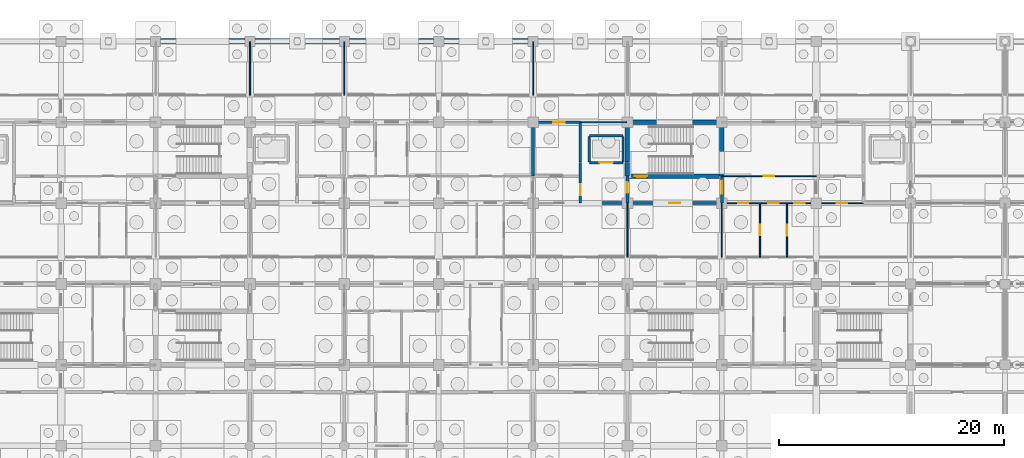
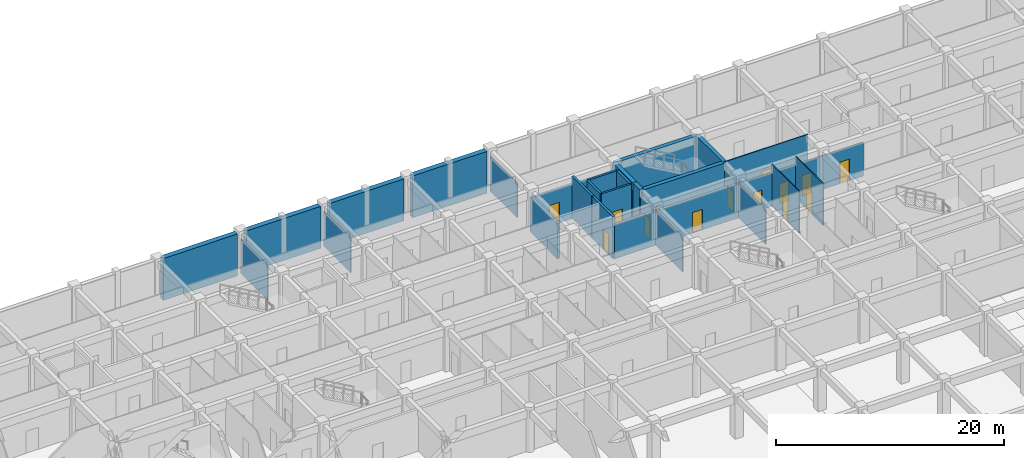
# One storey, part 74 of 85: 30 walls, 14 doors, 14 openings.
"""IFC4 building model written with IfcOpenShell, lengths in metres."""

import ifcopenshell
import ifcopenshell.guid

model = None  # the IFC model being written
_history = None  # IfcOwnerHistory: only IFC2X3 demands one
_inside = {}  # id of a spatial element -> (the spatial element, [elements in it])
_under = {}  # id of a project, library or spatial element -> (it, [spatial elements below it])
_declared = {}  # id of a project -> (the project, [libraries it declares])
_typed = {}  # id of a type object -> (the type object, [elements of that type])
_made_of = {}  # id of a material, layer set ... -> (it, [elements and type objects made of it])


def new_model(schema):
    """Start an empty IFC model of exactly this schema.

    Asked for "IFC4X3", IfcOpenShell would pick the latest addendum, in which some entities
    have other attributes; the version numbers below select the first issue.
    IFC2X3 requires an IfcOwnerHistory on every rooted entity: one is made here for all.
    """
    global model, _history
    if schema == "IFC4X3":
        model = ifcopenshell.file(schema_version=(4, 3, 0, 0))
    else:
        model = ifcopenshell.file(schema=schema)
    _inside.clear()
    _under.clear()
    _declared.clear()
    _typed.clear()
    _made_of.clear()
    _history = None
    if model.schema == "IFC2X3":
        org = make("IfcOrganization", Name="unknown")
        user = make(
            "IfcPersonAndOrganization",
            ThePerson=make("IfcPerson", FamilyName="unknown"),
            TheOrganization=org,
        )
        app = make(
            "IfcApplication",
            ApplicationDeveloper=org,
            Version="unknown",
            ApplicationFullName="unknown",
            ApplicationIdentifier="unknown",
        )
        _history = make(
            "IfcOwnerHistory",
            OwningUser=user,
            OwningApplication=app,
            ChangeAction="ADDED",
            CreationDate=0,
        )
    return model


def make(cls, **values):
    """One entity of the class cls with the attributes given. An attribute that is None is left unset."""
    return model.create_entity(
        cls, **{name: value for name, value in values.items() if value is not None}
    )


def rooted(cls, **values):
    """An entity with a GlobalId (a new one), such as an element, a storey or a relation."""
    return make(cls, GlobalId=ifcopenshell.guid.new(), OwnerHistory=_history, **values)


def si_unit(unit_type, name, prefix=None):
    """IfcSIUnit, for example si_unit("LENGTHUNIT", "METRE", prefix="MILLI")."""
    return make("IfcSIUnit", UnitType=unit_type, Prefix=prefix, Name=name)


def assignment(units):
    """IfcUnitAssignment: the units of a project."""
    return None if units is None else make("IfcUnitAssignment", Units=units)


def point(xyz):
    """IfcCartesianPoint."""
    return None if xyz is None else make("IfcCartesianPoint", Coordinates=xyz)


def direction(xyz):
    """IfcDirection."""
    return None if xyz is None else make("IfcDirection", DirectionRatios=xyz)


def frame(location, z_axis=None, x_axis=None):
    """IfcAxis2Placement3D, a coordinate frame: its origin and axes. An axis left out is left unset."""
    return make(
        "IfcAxis2Placement3D",
        Location=point(location),
        Axis=direction(z_axis),
        RefDirection=direction(x_axis),
    )


def frame_2d(location, x_axis=None):
    """IfcAxis2Placement2D, a coordinate frame in the plane: its origin and x axis."""
    return make(
        "IfcAxis2Placement2D", Location=point(location), RefDirection=direction(x_axis)
    )


def origin():
    """The frame at (0, 0, 0) with its axes left unset."""
    return frame((0.0, 0.0, 0.0))


def place(relative_to, where):
    """IfcLocalPlacement: puts the frame where relative to a parent placement (None: the world)."""
    return make(
        "IfcLocalPlacement", PlacementRelTo=relative_to, RelativePlacement=where
    )


def context(
    kind, dimensions, precision=None, world=None, true_north=None, identifier=None
):
    """IfcGeometricRepresentationContext, for example the 3D "Model" context."""
    return make(
        "IfcGeometricRepresentationContext",
        ContextIdentifier=identifier,
        ContextType=kind,
        CoordinateSpaceDimension=dimensions,
        Precision=precision,
        WorldCoordinateSystem=world,
        TrueNorth=true_north,
    )


def subcontext(parent, identifier, kind, view, scale=None):
    """IfcGeometricRepresentationSubContext, for example "Body" below "Model"."""
    return make(
        "IfcGeometricRepresentationSubContext",
        ContextIdentifier=identifier,
        ContextType=kind,
        ParentContext=parent,
        TargetScale=scale,
        TargetView=view,
    )


def project(units=None, contexts=None):
    """IfcProject with its units and contexts."""
    return rooted(
        "IfcProject",
        Name="project",
        RepresentationContexts=contexts,
        UnitsInContext=assignment(units),
    )


def spatial(cls, under=None, at=None, **own):
    """A site, building, storey or space (cls), placed at a placement, below another one or the project."""
    s = rooted(cls, ObjectPlacement=at, **own)
    if under is not None:
        _under.setdefault(under.id(), (under, []))[1].append(s)
    return s


def profile(cls, at=None, kind="AREA", **sizes):
    """A parametric profile (cls). Its sizes go by their IFC names, for example OverallWidth=200.0."""
    return make(cls, ProfileType=kind, Position=at, **sizes)


def rectangle(**sizes):
    """IfcRectangleProfileDef."""
    return profile("IfcRectangleProfileDef", **sizes)


def extrude(swept, where, along, depth):
    """IfcExtrudedAreaSolid: the profile swept, set in the frame where, extruded along a direction by depth."""
    return make(
        "IfcExtrudedAreaSolid",
        SweptArea=swept,
        Position=where,
        ExtrudedDirection=direction(along),
        Depth=depth,
    )


def shape(context_of_items, identifier, shape_type, items):
    """IfcShapeRepresentation: the items that make up one representation, for example the "Body"."""
    return make(
        "IfcShapeRepresentation",
        ContextOfItems=context_of_items,
        RepresentationIdentifier=identifier,
        RepresentationType=shape_type,
        Items=items,
    )


def material(Name=None, Category=None):
    """IfcMaterial."""
    return make("IfcMaterial", Name=Name, Category=Category)


def layer(
    of_material, thickness, ventilated=None, Name=None, Category=None, Priority=None
):
    """IfcMaterialLayer: one layer of a wall or slab, of a material (None: an air gap)."""
    return make(
        "IfcMaterialLayer",
        Material=of_material,
        LayerThickness=thickness,
        IsVentilated=ventilated,
        Name=Name,
        Category=Category,
        Priority=Priority,
    )


def layer_set(layers, Name=None):
    """IfcMaterialLayerSet."""
    return make("IfcMaterialLayerSet", MaterialLayers=layers, LayerSetName=Name)


def made_of(thing, what):
    """Note that an element or type object is made of a material, layer set ...; save() writes the relation."""
    if what is not None:
        _made_of.setdefault(what.id(), (what, []))[1].append(thing)
    return thing


def type_object(cls, material=None, **own):
    """A type object (cls), such as IfcWallType, which elements share."""
    return made_of(rooted(cls, **own), material)


def element(
    cls,
    number,
    at=None,
    inside=None,
    cuts=None,
    type_object=None,
    material=None,
    context=None,
    identifier="Body",
    shape_type=None,
    held_by="IfcProductDefinitionShape",
    body=None,
    shapes=None,
    **own,
):
    """One element of the class cls, such as IfcWall. Its Tag is "e" and its number.

    at: its placement. inside: the storey or other place that contains it. cuts: it is an
    opening in that element (IfcRelVoidsElement). A single representation is given by context,
    identifier, shape_type and body (its items); several are given by shapes. held_by: the class
    of the entity that holds the representations. save() writes the other relations.
    """
    e = rooted(cls, Tag="e%d" % number, ObjectPlacement=at, **own)
    if body is not None:
        shapes = [shape(context, identifier, shape_type, body)]
    if shapes is not None:
        e.Representation = make(held_by, Representations=shapes)
    if inside is not None:
        _inside.setdefault(inside.id(), (inside, []))[1].append(e)
    if cuts is not None:
        rooted(
            "IfcRelVoidsElement", RelatingBuildingElement=cuts, RelatedOpeningElement=e
        )
    if type_object is not None:
        _typed.setdefault(type_object.id(), (type_object, []))[1].append(e)
    return made_of(e, material)


def fill(opening, filler):
    """IfcRelFillsElement: the door or window that sits in an opening."""
    return rooted(
        "IfcRelFillsElement",
        RelatingOpeningElement=opening,
        RelatedBuildingElement=filler,
    )


def aggregate(whole, parts):
    """IfcRelAggregates: a whole, such as a stair, and the parts it consists of."""
    return rooted("IfcRelAggregates", RelatingObject=whole, RelatedObjects=parts)


def save(model, path):
    """Write the relations noted so far, then the file.

    IfcRelAggregates (storeys below a building ...), IfcRelContainedInSpatialStructure (elements
    in a storey), IfcRelDefinesByType, IfcRelAssociatesMaterial and IfcRelDeclares: one each for
    every whole, place, type object, material and project.
    """
    for whole, parts in _under.values():
        aggregate(whole, parts)
    for where, things in _inside.values():
        rooted(
            "IfcRelContainedInSpatialStructure",
            RelatedElements=things,
            RelatingStructure=where,
        )
    for kind, things in _typed.values():
        rooted("IfcRelDefinesByType", RelatedObjects=things, RelatingType=kind)
    for what, things in _made_of.values():
        rooted("IfcRelAssociatesMaterial", RelatedObjects=things, RelatingMaterial=what)
    for by, libraries in _declared.values():
        rooted("IfcRelDeclares", RelatingContext=by, RelatedDefinitions=libraries)
    model.write(path)


model = new_model("IFC4")

# Units and contexts
model_context = context("Model", 3, precision=1e-05, world=origin(), true_north=direction((0.0, 1.0)))
body_context = subcontext(model_context, "Body", "Model", "MODEL_VIEW")
ifc_project = project(units=[si_unit("LENGTHUNIT", "METRE"), si_unit("AREAUNIT", "SQUARE_METRE"), si_unit("VOLUMEUNIT", "CUBIC_METRE"), si_unit("PLANEANGLEUNIT", "RADIAN"), si_unit("MASSUNIT", "GRAM", prefix="KILO")], contexts=[model_context])

# Site, building, storey
site_placement = place(None, origin())
site = spatial("IfcSite", under=ifc_project, at=site_placement, CompositionType="ELEMENT")
building_placement = place(site_placement, origin())
building = spatial("IfcBuilding", under=site, at=building_placement, Name="Chengyuan Square Courthouse", CompositionType="ELEMENT")
storey_placement = place(building_placement, frame((0.0, 0.0, -10.199951171875)))
storey = spatial("IfcBuildingStorey", under=building, at=storey_placement, Name="B02", CompositionType="ELEMENT", Elevation=-10.199951171875)

# Wall, opening, door
ifc_material_1 = material(Name="Concrete C40", Category="concrete")
ifc_layer_1 = layer(ifc_material_1, 0.25)
ifc_layer_set_1 = layer_set([ifc_layer_1], Name="Concrete C40")
wall_type_1 = type_object("IfcWallType", Name="WL-FW1", PredefinedType="STANDARD", material=ifc_layer_set_1)
wall_1_placement = place(storey_placement, frame((96.60009765625, 100.800048828125, 0.0), z_axis=(0.0, 0.0, 1.0), x_axis=(1.0, 0.0, 0.0)))
wall_1 = element("IfcWall", 1, at=wall_1_placement, inside=storey, type_object=wall_type_1, Name="Interior Wall WL-B02-I069", PredefinedType="STANDARD", context=body_context, shape_type="SweptSolid", body=[
    extrude(rectangle(XDim=12.599853515625, YDim=0.25, at=frame_2d((6.2998046875, 0.0))), origin(), (0.0, 0.0, 1.0), 3.6298828125),
])
opening_1_placement = place(wall_1_placement, frame((7.89990234375, 0.0, 0.0)))
opening_1 = element("IfcOpeningElement", 2, at=opening_1_placement, cuts=wall_1, Name="Opening DR-026", PredefinedType="OPENING", context=body_context, shape_type="SweptSolid", body=[
    extrude(rectangle(XDim=1.0, YDim=2.199951171875, at=frame_2d((0.5, 1.10009765625))), frame((0.0, 0.136962890625, 0.0), z_axis=(0.0, -1.0, 0.0), x_axis=(1.0, 0.0, 0.0)), (0.0, 0.0, 1.0), 0.27392578125),
])
ifc_material_2 = material(Name="Steel Q235B Fire Door", Category="steel")
door_type_1 = type_object("IfcDoorType", Name="DT-11", OperationType="NOTDEFINED", PredefinedType="DOOR", material=ifc_material_2)
door_1_placement = place(opening_1_placement, origin())
door_1 = element("IfcDoor", 3, at=door_1_placement, inside=storey, type_object=door_type_1, Name="Interior Door DR-026", OperationType="SINGLE_SWING_RIGHT", OverallHeight=2.199951171875, OverallWidth=1.0, PredefinedType="DOOR", context=body_context, shape_type="SweptSolid", body=[
    extrude(rectangle(XDim=1.0, YDim=2.199951171875, at=frame_2d((0.5, 1.10009765625))), frame((0.0, 0.02490234375, 0.0), z_axis=(0.0, -1.0, 0.0), x_axis=(1.0, 0.0, 0.0)), (0.0, 0.0, 1.0), 0.050048828125),
])
fill(opening_1, door_1)

wall_2_placement = place(storey_placement, frame((92.39990234375, 108.0, 0.0), z_axis=(0.0, 0.0, 1.0), x_axis=(1.0, 0.0, 0.0)))
wall_2 = element("IfcWall", 4, at=wall_2_placement, inside=storey, type_object=wall_type_1, Name="Interior Wall WL-B02-I102", PredefinedType="STANDARD", context=body_context, shape_type="SweptSolid", body=[
    extrude(rectangle(XDim=4.2001953125, YDim=0.25, at=frame_2d((2.10009765625, 0.0))), origin(), (0.0, 0.0, 1.0), 3.6298828125),
])
opening_2_placement = place(wall_2_placement, frame((1.797607421875, 0.0, 0.0)))
opening_2 = element("IfcOpeningElement", 5, at=opening_2_placement, cuts=wall_2, Name="Opening DR-071", PredefinedType="OPENING", context=body_context, shape_type="SweptSolid", body=[
    extrude(rectangle(XDim=1.0, YDim=2.199951171875, at=frame_2d((0.5, 1.10009765625))), frame((0.0, 0.136962890625, 0.0), z_axis=(0.0, -1.0, 0.0), x_axis=(1.0, 0.0, 0.0)), (0.0, 0.0, 1.0), 0.27392578125),
])
door_2_placement = place(opening_2_placement, origin())
door_2 = element("IfcDoor", 6, at=door_2_placement, inside=storey, type_object=door_type_1, Name="Interior Door DR-071", OperationType="SINGLE_SWING_LEFT", OverallHeight=2.199951171875, OverallWidth=1.0, PredefinedType="DOOR", context=body_context, shape_type="SweptSolid", body=[
    extrude(rectangle(XDim=1.0, YDim=2.199951171875, at=frame_2d((0.5, 1.10009765625))), frame((0.0, 0.02490234375, 0.0), z_axis=(0.0, -1.0, 0.0), x_axis=(1.0, 0.0, 0.0)), (0.0, 0.0, 1.0), 0.050048828125),
])
fill(opening_2, door_2)

# Wall
wall_3_placement = place(storey_placement, frame((92.39990234375, 103.199951171875, 0.0), z_axis=(0.0, 0.0, 1.0), x_axis=(0.0, 1.0, 0.0)))
element("IfcWall", 7, at=wall_3_placement, inside=storey, type_object=wall_type_1, Name="Interior Wall WL-B02-I207", PredefinedType="STANDARD", context=body_context, shape_type="SweptSolid", body=[
    extrude(rectangle(XDim=4.800048828125, YDim=0.25, at=frame_2d((2.39990234375, 0.0))), origin(), (0.0, 0.0, 1.0), 3.72998046875),
])

# Wall, opening, door
wall_4_placement = place(storey_placement, frame((96.60009765625, 100.800048828125, 0.0), z_axis=(0.0, 0.0, 1.0), x_axis=(0.0, 1.0, 0.0)))
wall_4 = element("IfcWall", 8, at=wall_4_placement, inside=storey, type_object=wall_type_1, Name="Interior Wall WL-B02-I209", PredefinedType="STANDARD", context=body_context, shape_type="SweptSolid", body=[
    extrude(rectangle(XDim=3.599853515625, YDim=0.25, at=frame_2d((1.7998046875, 0.0))), origin(), (0.0, 0.0, 1.0), 4.47998046875),
])
opening_3_placement = place(wall_4_placement, frame((0.699951171875, 0.0, 0.0)))
opening_3 = element("IfcOpeningElement", 9, at=opening_3_placement, cuts=wall_4, Name="Opening DR-068", PredefinedType="OPENING", context=body_context, shape_type="SweptSolid", body=[
    extrude(rectangle(XDim=1.0, YDim=2.199951171875, at=frame_2d((0.5, 1.10009765625))), frame((0.0, 0.136962890625, 0.0), z_axis=(0.0, -1.0, 0.0), x_axis=(1.0, 0.0, 0.0)), (0.0, 0.0, 1.0), 0.27392578125),
])
door_3_placement = place(opening_3_placement, origin())
door_3 = element("IfcDoor", 10, at=door_3_placement, inside=storey, type_object=door_type_1, Name="Interior Door DR-068", OperationType="SINGLE_SWING_RIGHT", OverallHeight=2.199951171875, OverallWidth=1.0, PredefinedType="DOOR", context=body_context, shape_type="SweptSolid", body=[
    extrude(rectangle(XDim=1.0, YDim=2.199951171875, at=frame_2d((0.5, 1.10009765625))), frame((0.0, 0.02490234375, 0.0), z_axis=(0.0, -1.0, 0.0), x_axis=(1.0, 0.0, 0.0)), (0.0, 0.0, 1.0), 0.050048828125),
])
fill(opening_3, door_3)

# Wall
wall_5_placement = place(storey_placement, frame((96.60009765625, 104.449951171875, 0.0), z_axis=(0.0, 0.0, 1.0), x_axis=(0.0, 1.0, 0.0)))
element("IfcWall", 11, at=wall_5_placement, inside=storey, type_object=wall_type_1, Name="Interior Wall WL-B02-I210", PredefinedType="STANDARD", context=body_context, shape_type="SweptSolid", body=[
    extrude(rectangle(XDim=3.5, YDim=0.25, at=frame_2d((1.75, 0.0))), origin(), (0.0, 0.0, 1.0), 4.47998046875),
])

# Wall, opening, door
wall_6_placement = place(storey_placement, frame((100.800048828125, 100.800048828125, 0.0), z_axis=(0.0, 0.0, 1.0), x_axis=(0.0, 1.0, 0.0)))
wall_6 = element("IfcWall", 12, at=wall_6_placement, inside=storey, type_object=wall_type_1, Name="Interior Wall WL-B02-I217", PredefinedType="STANDARD", context=body_context, shape_type="SweptSolid", body=[
    extrude(rectangle(XDim=2.39990234375, YDim=0.25, at=frame_2d((1.199951171875, 0.0))), origin(), (0.0, 0.0, 1.0), 3.72998046875),
])
opening_4_placement = place(wall_6_placement, frame((0.922607421875, 0.0, 0.0)))
opening_4 = element("IfcOpeningElement", 13, at=opening_4_placement, cuts=wall_6, Name="Opening DR-024", PredefinedType="OPENING", context=body_context, shape_type="SweptSolid", body=[
    extrude(rectangle(XDim=0.949951171875, YDim=2.14990234375, at=frame_2d((0.47509765625, 1.074951171875))), frame((0.0, 0.136962890625, 0.0), z_axis=(0.0, -1.0, 0.0), x_axis=(1.0, 0.0, 0.0)), (0.0, 0.0, 1.0), 0.27392578125),
])
door_type_2 = type_object("IfcDoorType", Name="DT-12", OperationType="NOTDEFINED", PredefinedType="DOOR", material=ifc_material_2)
door_4_placement = place(opening_4_placement, origin())
door_4 = element("IfcDoor", 14, at=door_4_placement, inside=storey, type_object=door_type_2, Name="Interior Door DR-024", OperationType="SINGLE_SWING_RIGHT", OverallHeight=2.14990234375, OverallWidth=0.949951171875, PredefinedType="DOOR", context=body_context, shape_type="SweptSolid", body=[
    extrude(rectangle(XDim=0.949951171875, YDim=2.14990234375, at=frame_2d((0.47509765625, 1.074951171875))), frame((0.0, 0.02490234375, 0.0), z_axis=(0.0, -1.0, 0.0), x_axis=(1.0, 0.0, 0.0)), (0.0, 0.0, 1.0), 0.050048828125),
])
fill(opening_4, door_4)

wall_7_placement = place(storey_placement, frame((109.199951171875, 100.800048828125, 0.0), z_axis=(0.0, 0.0, 1.0), x_axis=(0.0, 1.0, 0.0)))
wall_7 = element("IfcWall", 15, at=wall_7_placement, inside=storey, type_object=wall_type_1, Name="Interior Wall WL-B02-I225", PredefinedType="STANDARD", context=body_context, shape_type="SweptSolid", body=[
    extrude(rectangle(XDim=2.39990234375, YDim=0.25, at=frame_2d((1.199951171875, 0.0))), origin(), (0.0, 0.0, 1.0), 3.72998046875),
])
opening_5_placement = place(wall_7_placement, frame((0.847412109375, 0.0, 0.0)))
opening_5 = element("IfcOpeningElement", 16, at=opening_5_placement, cuts=wall_7, Name="Opening DR-025", PredefinedType="OPENING", context=body_context, shape_type="SweptSolid", body=[
    extrude(rectangle(XDim=1.10009765625, YDim=2.199951171875, at=frame_2d((0.550048828125, 1.10009765625))), frame((0.0, 0.136962890625, 0.0), z_axis=(0.0, -1.0, 0.0), x_axis=(1.0, 0.0, 0.0)), (0.0, 0.0, 1.0), 0.27392578125),
])
door_type_3 = type_object("IfcDoorType", Name="DT-10", OperationType="NOTDEFINED", PredefinedType="DOOR", material=ifc_material_2)
door_5_placement = place(opening_5_placement, origin())
door_5 = element("IfcDoor", 17, at=door_5_placement, inside=storey, type_object=door_type_3, Name="Interior Door DR-025", OperationType="SINGLE_SWING_LEFT", OverallHeight=2.199951171875, OverallWidth=1.10009765625, PredefinedType="DOOR", context=body_context, shape_type="SweptSolid", body=[
    extrude(rectangle(XDim=1.10009765625, YDim=2.199951171875, at=frame_2d((0.550048828125, 1.10009765625))), frame((0.0, 0.02490234375, 0.0), z_axis=(0.0, -1.0, 0.0), x_axis=(1.0, 0.0, 0.0)), (0.0, 0.0, 1.0), 0.050048828125),
])
fill(opening_5, door_5)

# Wall, openings, doors
ifc_material_3 = material(Name="Gypsum Plasterboard Acoustic Stud Partition")
ifc_layer_2 = layer(ifc_material_3, 0.10009765625)
ifc_layer_set_2 = layer_set([ifc_layer_2], Name="Gypsum Plasterboard Acoustic Stud Partition")
wall_type_2 = type_object("IfcWallType", Name="WL-PT6", PredefinedType="STANDARD", material=ifc_layer_set_2)
wall_8_placement = place(storey_placement, frame((109.199951171875, 100.800048828125, 0.0), z_axis=(0.0, 0.0, 1.0), x_axis=(1.0, 0.0, 0.0)))
wall_8 = element("IfcWall", 18, at=wall_8_placement, inside=storey, type_object=wall_type_2, Name="Interior Wall WL-B02-I070", PredefinedType="STANDARD", context=body_context, shape_type="SweptSolid", body=[
    extrude(rectangle(XDim=12.60009765625, YDim=0.10009765625, at=frame_2d((6.300048828125, 0.0))), origin(), (0.0, 0.0, 1.0), 3.6298828125),
])
opening_6_placement = place(wall_8_placement, frame((10.2275390625, 0.0, 0.0)))
opening_6 = element("IfcOpeningElement", 19, at=opening_6_placement, cuts=wall_8, Name="Opening DR-081", PredefinedType="OPENING", context=body_context, shape_type="SweptSolid", body=[
    extrude(rectangle(XDim=0.93994140625, YDim=2.300048828125, at=frame_2d((0.469970703125, 1.14990234375))), frame((0.0, 0.06201171875, 0.0), z_axis=(0.0, -1.0, 0.0), x_axis=(1.0, 0.0, 0.0)), (0.0, 0.0, 1.0), 0.1240234375),
])
opening_7_placement = place(wall_8_placement, frame((1.467529296875, 0.0, 0.0)))
opening_7 = element("IfcOpeningElement", 20, at=opening_7_placement, cuts=wall_8, Name="Opening DR-121", PredefinedType="OPENING", context=body_context, shape_type="SweptSolid", body=[
    extrude(rectangle(XDim=0.860107421875, YDim=2.10009765625, at=frame_2d((0.43017578125, 1.050048828125))), frame((0.0, 0.06201171875, 0.0), z_axis=(0.0, -1.0, 0.0), x_axis=(1.0, 0.0, 0.0)), (0.0, 0.0, 1.0), 0.1240234375),
])
opening_8_placement = place(wall_8_placement, frame((4.139892578125, 0.0, 0.0)))
opening_8 = element("IfcOpeningElement", 21, at=opening_8_placement, cuts=wall_8, Name="Opening DR-122", PredefinedType="OPENING", context=body_context, shape_type="SweptSolid", body=[
    extrude(rectangle(XDim=0.919921875, YDim=2.14990234375, at=frame_2d((0.4599609375, 1.074951171875))), frame((0.0, 0.06201171875, 0.0), z_axis=(0.0, -1.0, 0.0), x_axis=(1.0, 0.0, 0.0)), (0.0, 0.0, 1.0), 0.1240234375),
])
opening_9_placement = place(wall_8_placement, frame((6.422607421875, 0.0, 0.0)))
opening_9 = element("IfcOpeningElement", 22, at=opening_9_placement, cuts=wall_8, Name="Opening DR-123", PredefinedType="OPENING", context=body_context, shape_type="SweptSolid", body=[
    extrude(rectangle(XDim=0.9599609375, YDim=2.199951171875, at=frame_2d((0.47998046875, 1.10009765625))), frame((0.0, 0.06201171875, 0.0), z_axis=(0.0, -1.0, 0.0), x_axis=(1.0, 0.0, 0.0)), (0.0, 0.0, 1.0), 0.1240234375),
])
ifc_material_4 = material(Name="Acoustic Solid-Core Timber Door", Category="wood")
door_type_4 = type_object("IfcDoorType", Name="DT-28", OperationType="NOTDEFINED", PredefinedType="DOOR", material=ifc_material_4)
door_6_placement = place(opening_7_placement, origin())
door_6 = element("IfcDoor", 23, at=door_6_placement, inside=storey, type_object=door_type_4, Name="Interior Door DR-121", OperationType="SINGLE_SWING_LEFT", OverallHeight=2.10009765625, OverallWidth=0.860107421875, PredefinedType="DOOR", context=body_context, shape_type="SweptSolid", body=[
    extrude(rectangle(XDim=0.860107421875, YDim=2.10009765625, at=frame_2d((0.43017578125, 1.050048828125))), frame((0.0, 0.02490234375, 0.0), z_axis=(0.0, -1.0, 0.0), x_axis=(1.0, 0.0, 0.0)), (0.0, 0.0, 1.0), 0.050048828125),
])
fill(opening_7, door_6)
door_type_5 = type_object("IfcDoorType", Name="DT-29", OperationType="NOTDEFINED", PredefinedType="DOOR", material=ifc_material_4)
door_7_placement = place(opening_8_placement, origin())
door_7 = element("IfcDoor", 24, at=door_7_placement, inside=storey, type_object=door_type_5, Name="Interior Door DR-122", OperationType="SINGLE_SWING_RIGHT", OverallHeight=2.14990234375, OverallWidth=0.919921875, PredefinedType="DOOR", context=body_context, shape_type="SweptSolid", body=[
    extrude(rectangle(XDim=0.919921875, YDim=2.14990234375, at=frame_2d((0.4599609375, 1.074951171875))), frame((0.0, 0.02490234375, 0.0), z_axis=(0.0, -1.0, 0.0), x_axis=(1.0, 0.0, 0.0)), (0.0, 0.0, 1.0), 0.050048828125),
])
fill(opening_8, door_7)
door_type_6 = type_object("IfcDoorType", Name="DT-30", OperationType="NOTDEFINED", PredefinedType="DOOR", material=ifc_material_4)
door_8_placement = place(opening_9_placement, origin())
door_8 = element("IfcDoor", 25, at=door_8_placement, inside=storey, type_object=door_type_6, Name="Interior Door DR-123", OperationType="SINGLE_SWING_LEFT", OverallHeight=2.199951171875, OverallWidth=0.9599609375, PredefinedType="DOOR", context=body_context, shape_type="SweptSolid", body=[
    extrude(rectangle(XDim=0.9599609375, YDim=2.199951171875, at=frame_2d((0.47998046875, 1.10009765625))), frame((0.0, 0.02490234375, 0.0), z_axis=(0.0, -1.0, 0.0), x_axis=(1.0, 0.0, 0.0)), (0.0, 0.0, 1.0), 0.050048828125),
])
fill(opening_9, door_8)
door_type_7 = type_object("IfcDoorType", Name="DT-39", OperationType="NOTDEFINED", PredefinedType="DOOR", material=ifc_material_4)
door_9_placement = place(opening_6_placement, origin())
door_9 = element("IfcDoor", 26, at=door_9_placement, inside=storey, type_object=door_type_7, Name="Interior Door DR-081", OperationType="SINGLE_SWING_LEFT", OverallHeight=2.300048828125, OverallWidth=0.93994140625, PredefinedType="DOOR", context=body_context, shape_type="SweptSolid", body=[
    extrude(rectangle(XDim=0.93994140625, YDim=2.300048828125, at=frame_2d((0.469970703125, 1.14990234375))), frame((0.0, 0.02490234375, 0.0), z_axis=(0.0, -1.0, 0.0), x_axis=(1.0, 0.0, 0.0)), (0.0, 0.0, 1.0), 0.050048828125),
])
fill(opening_6, door_9)

# Wall, opening, door
wall_9_placement = place(storey_placement, frame((109.199951171875, 103.199951171875, 0.0), z_axis=(0.0, 0.0, 1.0), x_axis=(1.0, 0.0, 0.0)))
wall_9 = element("IfcWall", 27, at=wall_9_placement, inside=storey, type_object=wall_type_2, Name="Interior Wall WL-B02-I082", PredefinedType="STANDARD", context=body_context, shape_type="SweptSolid", body=[
    extrude(rectangle(XDim=8.400146484375, YDim=0.10009765625, at=frame_2d((4.2001953125, 0.0))), origin(), (0.0, 0.0, 1.0), 4.47998046875),
])
opening_10_placement = place(wall_9_placement, frame((3.75, 0.0, 0.0)))
opening_10 = element("IfcOpeningElement", 28, at=opening_10_placement, cuts=wall_9, Name="Opening DR-120", PredefinedType="OPENING", context=body_context, shape_type="SweptSolid", body=[
    extrude(rectangle(XDim=0.89990234375, YDim=2.14990234375, at=frame_2d((0.449951171875, 1.074951171875))), frame((0.0, 0.06201171875, 0.0), z_axis=(0.0, -1.0, 0.0), x_axis=(1.0, 0.0, 0.0)), (0.0, 0.0, 1.0), 0.1240234375),
])
door_type_8 = type_object("IfcDoorType", Name="DT-27", OperationType="NOTDEFINED", PredefinedType="DOOR", material=ifc_material_4)
door_10_placement = place(opening_10_placement, origin())
door_10 = element("IfcDoor", 29, at=door_10_placement, inside=storey, type_object=door_type_8, Name="Interior Door DR-120", OperationType="SINGLE_SWING_RIGHT", OverallHeight=2.14990234375, OverallWidth=0.89990234375, PredefinedType="DOOR", context=body_context, shape_type="SweptSolid", body=[
    extrude(rectangle(XDim=0.89990234375, YDim=2.14990234375, at=frame_2d((0.449951171875, 1.074951171875))), frame((0.0, 0.02490234375, 0.0), z_axis=(0.0, -1.0, 0.0), x_axis=(1.0, 0.0, 0.0)), (0.0, 0.0, 1.0), 0.050048828125),
])
fill(opening_10, door_10)

# Walls
wall_10_placement = place(storey_placement, frame((96.64990234375, 108.0, 0.0), z_axis=(0.0, 0.0, 1.0), x_axis=(1.0, 0.0, 0.0)))
element("IfcWall", 30, at=wall_10_placement, inside=storey, type_object=wall_type_2, Name="Interior Wall WL-B02-I103", PredefinedType="STANDARD", context=body_context, shape_type="SweptSolid", body=[
    extrude(rectangle(XDim=4.10009765625, YDim=0.10009765625, at=frame_2d((2.050048828125, 0.0))), origin(), (0.0, 0.0, 1.0), 3.6298828125),
])
for number, where, z_axis, x_axis, name in (
    (31, (67.199951171875, 110.39990234375, 0.0), (0.0, 0.0, 1.0), (0.0, 1.0, 0.0), "Interior Wall WL-B02-I178"),
    (32, (75.60009765625, 110.39990234375, 0.0), (0.0, 0.0, 1.0), (0.0, 1.0, 0.0), "Interior Wall WL-B02-I188"),
    (33, (92.39990234375, 110.39990234375, 0.0), (0.0, 0.0, 1.0), (0.0, 1.0, 0.0), "Interior Wall WL-B02-I208"),
):
    element("IfcWall", number, at=place(storey_placement, frame(where, z_axis=z_axis, x_axis=x_axis)), inside=storey, type_object=wall_type_2, Name=name, PredefinedType="STANDARD", context=body_context, shape_type="SweptSolid", body=[
        extrude(rectangle(XDim=4.760009765625, YDim=0.10009765625, at=frame_2d((2.3798828125, 0.0))), origin(), (0.0, 0.0, 1.0), 3.72998046875),
    ])
for number, where, z_axis, x_axis, name in (
    (34, (100.800048828125, 96.0, 0.0), (0.0, 0.0, 1.0), (0.0, 1.0, 0.0), "Interior Wall WL-B02-I216"),
    (35, (109.199951171875, 96.0, 0.0), (0.0, 0.0, 1.0), (0.0, 1.0, 0.0), "Interior Wall WL-B02-I224"),
):
    element("IfcWall", number, at=place(storey_placement, frame(where, z_axis=z_axis, x_axis=x_axis)), inside=storey, type_object=wall_type_2, Name=name, PredefinedType="STANDARD", context=body_context, shape_type="SweptSolid", body=[
        extrude(rectangle(XDim=4.800048828125, YDim=0.10009765625, at=frame_2d((2.39990234375, 0.0))), origin(), (0.0, 0.0, 1.0), 3.72998046875),
    ])

# Wall, opening, door
wall_11_placement = place(storey_placement, frame((112.60009765625, 96.0, 0.0), z_axis=(0.0, 0.0, 1.0), x_axis=(0.0, 1.0, 0.0)))
wall_11 = element("IfcWall", 36, at=wall_11_placement, inside=storey, type_object=wall_type_2, Name="Interior Wall WL-B02-I229", PredefinedType="STANDARD", context=body_context, shape_type="SweptSolid", body=[
    extrude(rectangle(XDim=4.800048828125, YDim=0.10009765625, at=frame_2d((2.39990234375, 0.0))), origin(), (0.0, 0.0, 1.0), 4.47998046875),
])
opening_11_placement = place(wall_11_placement, frame((1.929931640625, 0.0, 0.0)))
opening_11 = element("IfcOpeningElement", 37, at=opening_11_placement, cuts=wall_11, Name="Opening DR-217", PredefinedType="OPENING", context=body_context, shape_type="SweptSolid", body=[
    extrude(rectangle(XDim=0.93994140625, YDim=2.300048828125, at=frame_2d((0.469970703125, 1.14990234375))), frame((0.0, 0.06201171875, 0.0), z_axis=(0.0, -1.0, 0.0), x_axis=(1.0, 0.0, 0.0)), (0.0, 0.0, 1.0), 0.1240234375),
])
door_11_placement = place(opening_11_placement, origin())
door_11 = element("IfcDoor", 38, at=door_11_placement, inside=storey, type_object=door_type_7, Name="Interior Door DR-217", OperationType="SINGLE_SWING_LEFT", OverallHeight=2.300048828125, OverallWidth=0.93994140625, PredefinedType="DOOR", context=body_context, shape_type="SweptSolid", body=[
    extrude(rectangle(XDim=0.93994140625, YDim=2.300048828125, at=frame_2d((0.469970703125, 1.14990234375))), frame((0.0, 0.02490234375, 0.0), z_axis=(0.0, -1.0, 0.0), x_axis=(1.0, 0.0, 0.0)), (0.0, 0.0, 1.0), 0.050048828125),
])
fill(opening_11, door_11)

wall_12_placement = place(storey_placement, frame((115.0, 96.0, 0.0), z_axis=(0.0, 0.0, 1.0), x_axis=(0.0, 1.0, 0.0)))
wall_12 = element("IfcWall", 39, at=wall_12_placement, inside=storey, type_object=wall_type_2, Name="Interior Wall WL-B02-I231", PredefinedType="STANDARD", context=body_context, shape_type="SweptSolid", body=[
    extrude(rectangle(XDim=4.800048828125, YDim=0.10009765625, at=frame_2d((2.39990234375, 0.0))), origin(), (0.0, 0.0, 1.0), 4.47998046875),
])
opening_12_placement = place(wall_12_placement, frame((1.909912109375, 0.0, 0.0)))
opening_12 = element("IfcOpeningElement", 40, at=opening_12_placement, cuts=wall_12, Name="Opening DR-218", PredefinedType="OPENING", context=body_context, shape_type="SweptSolid", body=[
    extrude(rectangle(XDim=0.97998046875, YDim=2.35009765625, at=frame_2d((0.489990234375, 1.175048828125))), frame((0.0, 0.06201171875, 0.0), z_axis=(0.0, -1.0, 0.0), x_axis=(1.0, 0.0, 0.0)), (0.0, 0.0, 1.0), 0.1240234375),
])
door_type_9 = type_object("IfcDoorType", Name="DT-40", OperationType="NOTDEFINED", PredefinedType="DOOR", material=ifc_material_4)
door_12_placement = place(opening_12_placement, origin())
door_12 = element("IfcDoor", 41, at=door_12_placement, inside=storey, type_object=door_type_9, Name="Interior Door DR-218", OperationType="SINGLE_SWING_RIGHT", OverallHeight=2.35009765625, OverallWidth=0.97998046875, PredefinedType="DOOR", context=body_context, shape_type="SweptSolid", body=[
    extrude(rectangle(XDim=0.97998046875, YDim=2.35009765625, at=frame_2d((0.489990234375, 1.175048828125))), frame((0.0, 0.02490234375, 0.0), z_axis=(0.0, -1.0, 0.0), x_axis=(1.0, 0.0, 0.0)), (0.0, 0.0, 1.0), 0.050048828125),
])
fill(opening_12, door_12)

# Walls
ifc_layer_3 = layer(ifc_material_1, 0.5)
ifc_layer_set_3 = layer_set([ifc_layer_3], Name="Concrete C40")
wall_type_3 = type_object("IfcWallType", Name="WL-RW1", PredefinedType="USERDEFINED", material=ifc_layer_set_3)
wall_13_placement = place(storey_placement, frame((59.2451171875, 115.199951171875, 0.0), z_axis=(0.0, 0.0, 1.0), x_axis=(1.0, 0.0, 0.0)))
element("IfcWall", 42, at=wall_13_placement, inside=storey, type_object=wall_type_3, Name="Basement Retaining Wall WL-B02-E032", ObjectType="RETAININGWALL", PredefinedType="USERDEFINED", context=body_context, shape_type="SweptSolid", body=[
    extrude(rectangle(XDim=7.509765625, YDim=0.5, at=frame_2d((3.7548828125, 0.0))), origin(), (0.0, 0.0, 1.0), 4.47998046875),
])
for number, where, z_axis, x_axis, name in (
    (43, (67.64501953125, 115.199951171875, 0.0), (0.0, 0.0, 1.0), (1.0, 0.0, 0.0), "Basement Retaining Wall WL-B02-E034"),
    (44, (76.044921875, 115.199951171875, 0.0), (0.0, 0.0, 1.0), (1.0, 0.0, 0.0), "Basement Retaining Wall WL-B02-E036"),
    (45, (84.445068359375, 115.199951171875, 0.0), (0.0, 0.0, 1.0), (1.0, 0.0, 0.0), "Basement Retaining Wall WL-B02-E038"),
):
    element("IfcWall", number, at=place(storey_placement, frame(where, z_axis=z_axis, x_axis=x_axis)), inside=storey, type_object=wall_type_3, Name=name, ObjectType="RETAININGWALL", PredefinedType="USERDEFINED", context=body_context, shape_type="SweptSolid", body=[
        extrude(rectangle(XDim=7.510009765625, YDim=0.5, at=frame_2d((3.7548828125, 0.0))), origin(), (0.0, 0.0, 1.0), 4.47998046875),
    ])

# Wall, opening, door
ifc_material_5 = material(Name="Reinforced Masonry Shaft Enclosure", Category="masonry")
ifc_layer_4 = layer(ifc_material_5, 0.199951171875)
ifc_layer_set_4 = layer_set([ifc_layer_4], Name="Reinforced Masonry Shaft Enclosure")
wall_type_4 = type_object("IfcWallType", Name="WL-SH1", PredefinedType="STANDARD", material=ifc_layer_set_4)
wall_14_placement = place(storey_placement, frame((97.39990234375, 104.39990234375, 0.0), z_axis=(0.0, 0.0, 1.0), x_axis=(1.0, 0.0, 0.0)))
wall_14 = element("IfcWall", 46, at=wall_14_placement, inside=storey, type_object=wall_type_4, Name="Interior Wall WL-B02-I088", PredefinedType="STANDARD", context=body_context, shape_type="SweptSolid", body=[
    extrude(rectangle(XDim=3.0, YDim=0.199951171875, at=frame_2d((1.5, 0.0))), origin(), (0.0, 0.0, 1.0), 4.47998046875),
])
opening_13_placement = place(wall_14_placement, frame((0.89990234375, 0.0, 0.0)))
opening_13 = element("IfcOpeningElement", 47, at=opening_13_placement, cuts=wall_14, Name="Opening LD-002", PredefinedType="OPENING", context=body_context, shape_type="SweptSolid", body=[
    extrude(rectangle(XDim=1.199951171875, YDim=2.14990234375, at=frame_2d((0.60009765625, 1.074951171875))), frame((0.0, 0.112060546875, 0.0), z_axis=(0.0, -1.0, 0.0), x_axis=(1.0, 0.0, 0.0)), (0.0, 0.0, 1.0), 0.223876953125),
])
ifc_material_6 = material(Name="Stainless Steel S30408 Lift Landing Door", Category="steel")
door_type_10 = type_object("IfcDoorType", Name="DT-05", OperationType="DOUBLE_DOOR_SLIDING", PredefinedType="DOOR", material=ifc_material_6)
door_13_placement = place(opening_13_placement, origin())
door_13 = element("IfcDoor", 48, at=door_13_placement, inside=storey, type_object=door_type_10, Name="Lift Landing Door LF-F2 B02", OperationType="DOUBLE_DOOR_SLIDING", OverallHeight=2.14990234375, OverallWidth=1.199951171875, PredefinedType="DOOR", context=body_context, shape_type="SweptSolid", body=[
    extrude(rectangle(XDim=1.199951171875, YDim=2.14990234375, at=frame_2d((0.60009765625, 1.074951171875))), frame((0.0, 0.02490234375, 0.0), z_axis=(0.0, -1.0, 0.0), x_axis=(1.0, 0.0, 0.0)), (0.0, 0.0, 1.0), 0.050048828125),
])
fill(opening_13, door_13)

# Walls
wall_15_placement = place(storey_placement, frame((97.39990234375, 106.800048828125, 0.0), z_axis=(0.0, 0.0, 1.0), x_axis=(1.0, 0.0, 0.0)))
element("IfcWall", 49, at=wall_15_placement, inside=storey, type_object=wall_type_4, Name="Interior Wall WL-B02-I092", PredefinedType="STANDARD", context=body_context, shape_type="SweptSolid", body=[
    extrude(rectangle(XDim=3.0, YDim=0.199951171875, at=frame_2d((1.5, 0.0))), origin(), (0.0, 0.0, 1.0), 4.47998046875),
])
for number, where, z_axis, x_axis, name in (
    (50, (97.39990234375, 104.449951171875, 0.0), (0.0, 0.0, 1.0), (0.0, 1.0, 0.0), "Interior Wall WL-B02-I211"),
    (51, (100.39990234375, 104.449951171875, 0.0), (0.0, 0.0, 1.0), (0.0, 1.0, 0.0), "Interior Wall WL-B02-I212"),
):
    element("IfcWall", number, at=place(storey_placement, frame(where, z_axis=z_axis, x_axis=x_axis)), inside=storey, type_object=wall_type_4, Name=name, PredefinedType="STANDARD", context=body_context, shape_type="SweptSolid", body=[
        extrude(rectangle(XDim=2.300048828125, YDim=0.199951171875, at=frame_2d((1.14990234375, 0.0))), origin(), (0.0, 0.0, 1.0), 4.47998046875),
    ])

# Wall, opening, door
ifc_material_7 = material(Name="Concrete C50", Category="concrete")
ifc_layer_5 = layer(ifc_material_7, 0.39990234375)
ifc_layer_set_5 = layer_set([ifc_layer_5], Name="Concrete C50")
wall_type_5 = type_object("IfcWallType", Name="WL-SW1", PredefinedType="SHEAR", material=ifc_layer_set_5)
wall_16_placement = place(storey_placement, frame((100.800048828125, 103.199951171875, 0.0), z_axis=(0.0, 0.0, 1.0), x_axis=(1.0, 0.0, 0.0)))
wall_16 = element("IfcWall", 52, at=wall_16_placement, inside=storey, type_object=wall_type_5, Name="Interior Wall WL-B02-I081", PredefinedType="SHEAR", context=body_context, shape_type="SweptSolid", body=[
    extrude(rectangle(XDim=8.39990234375, YDim=0.39990234375, at=frame_2d((4.199951171875, 0.0))), origin(), (0.0, 0.0, 1.0), 4.47998046875),
])
opening_14_placement = place(wall_16_placement, frame((0.64990234375, 0.0, 0.0)))
opening_14 = element("IfcOpeningElement", 53, at=opening_14_placement, cuts=wall_16, Name="Opening DR-012", PredefinedType="OPENING", context=body_context, shape_type="SweptSolid", body=[
    extrude(rectangle(XDim=1.10009765625, YDim=2.199951171875, at=frame_2d((0.550048828125, 1.10009765625))), frame((0.0, 0.2119140625, 0.0), z_axis=(0.0, -1.0, 0.0), x_axis=(1.0, 0.0, 0.0)), (0.0, 0.0, 1.0), 0.423828125),
])
door_14_placement = place(opening_14_placement, origin())
door_14 = element("IfcDoor", 54, at=door_14_placement, inside=storey, type_object=door_type_3, Name="Smoke-Proof Stairwell Fire Door ST-2 DR-012", OperationType="SINGLE_SWING_RIGHT", OverallHeight=2.199951171875, OverallWidth=1.10009765625, PredefinedType="DOOR", context=body_context, shape_type="SweptSolid", body=[
    extrude(rectangle(XDim=1.10009765625, YDim=2.199951171875, at=frame_2d((0.550048828125, 1.10009765625))), frame((0.0, 0.02490234375, 0.0), z_axis=(0.0, -1.0, 0.0), x_axis=(1.0, 0.0, 0.0)), (0.0, 0.0, 1.0), 0.050048828125),
])
fill(opening_14, door_14)

# Walls
wall_17_placement = place(storey_placement, frame((100.800048828125, 108.0, 0.0), z_axis=(0.0, 0.0, 1.0), x_axis=(1.0, 0.0, 0.0)))
element("IfcWall", 55, at=wall_17_placement, inside=storey, type_object=wall_type_5, Name="Interior Wall WL-B02-I104", PredefinedType="SHEAR", context=body_context, shape_type="SweptSolid", body=[
    extrude(rectangle(XDim=8.39990234375, YDim=0.39990234375, at=frame_2d((4.199951171875, 0.0))), origin(), (0.0, 0.0, 1.0), 4.47998046875),
])
wall_18_placement = place(storey_placement, frame((100.800048828125, 103.199951171875, 0.0), z_axis=(0.0, 0.0, 1.0), x_axis=(0.0, 1.0, 0.0)))
element("IfcWall", 56, at=wall_18_placement, inside=storey, type_object=wall_type_5, Name="Interior Wall WL-B02-I218", PredefinedType="SHEAR", context=body_context, shape_type="SweptSolid", body=[
    extrude(rectangle(XDim=1.199951171875, YDim=0.39990234375, at=frame_2d((0.60009765625, 0.0))), origin(), (0.0, 0.0, 1.0), 4.47998046875),
])
wall_19_placement = place(storey_placement, frame((100.800048828125, 104.449951171875, 0.0), z_axis=(0.0, 0.0, 1.0), x_axis=(0.0, 1.0, 0.0)))
element("IfcWall", 57, at=wall_19_placement, inside=storey, type_object=wall_type_5, Name="Interior Wall WL-B02-I219", PredefinedType="SHEAR", context=body_context, shape_type="SweptSolid", body=[
    extrude(rectangle(XDim=3.5, YDim=0.39990234375, at=frame_2d((1.75, 0.0))), origin(), (0.0, 0.0, 1.0), 4.47998046875),
])
wall_20_placement = place(storey_placement, frame((109.199951171875, 103.199951171875, 0.0), z_axis=(0.0, 0.0, 1.0), x_axis=(0.0, 1.0, 0.0)))
element("IfcWall", 58, at=wall_20_placement, inside=storey, type_object=wall_type_5, Name="Interior Wall WL-B02-I226", PredefinedType="SHEAR", context=body_context, shape_type="SweptSolid", body=[
    extrude(rectangle(XDim=4.800048828125, YDim=0.39990234375, at=frame_2d((2.39990234375, 0.0))), origin(), (0.0, 0.0, 1.0), 4.47998046875),
])

save(model, "model.ifc")
